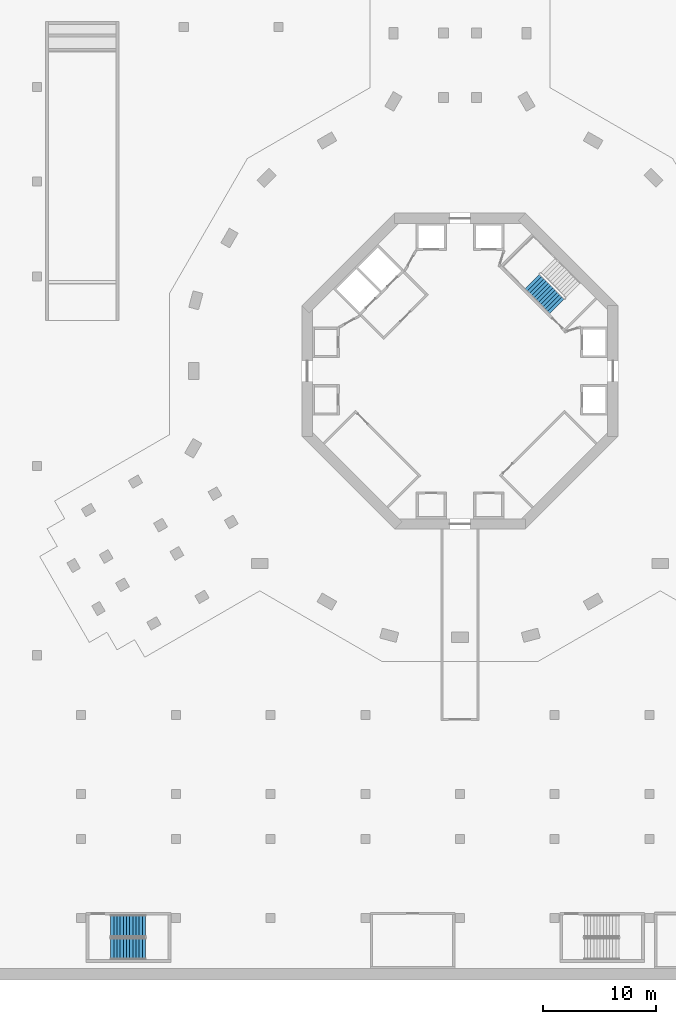
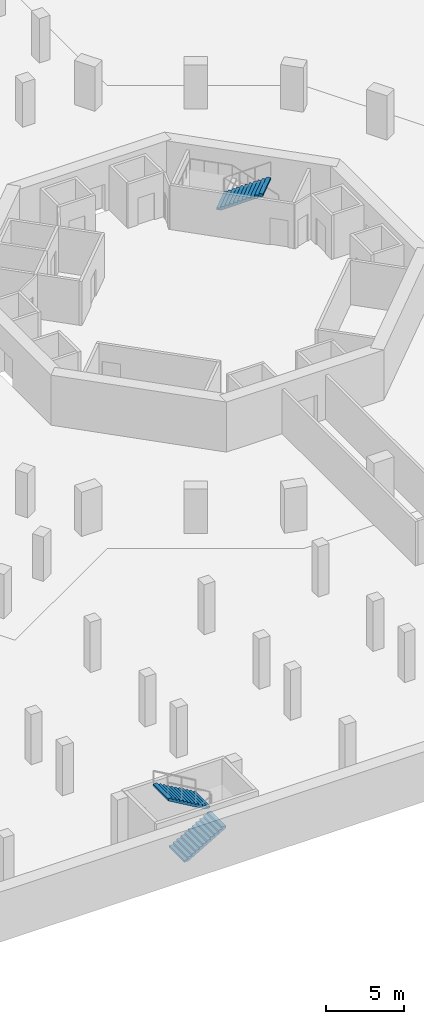
# One storey, part 13 of 25: 3 stair flights, 2 elements without a shape of their own.
"""IFC4 building model written with IfcOpenShell, lengths in metres."""

from ifc_helpers import new_model, si_unit, direction, frame, origin, place, context, subcontext, project, spatial, triangles, material, type_object, element, aggregate, save


model = new_model("IFC4")

# Units and contexts
model_context = context("Model", 3, precision=1e-05, world=origin(), true_north=direction((0.0, 1.0)))
body_context = subcontext(model_context, "Body", "Model", "MODEL_VIEW")
ifc_project = project(units=[si_unit("LENGTHUNIT", "METRE"), si_unit("AREAUNIT", "SQUARE_METRE"), si_unit("VOLUMEUNIT", "CUBIC_METRE"), si_unit("PLANEANGLEUNIT", "RADIAN"), si_unit("MASSUNIT", "GRAM", prefix="KILO")], contexts=[model_context])

# Site, building, storey
site_placement = place(None, origin())
site = spatial("IfcSite", under=ifc_project, at=site_placement, CompositionType="ELEMENT")
building_placement = place(site_placement, origin())
building = spatial("IfcBuilding", under=site, at=building_placement, Name="Verdalira Terraces Hotel", CompositionType="ELEMENT")
storey_placement = place(building_placement, frame((0.0, 0.0, -7.800049)))
storey = spatial("IfcBuildingStorey", under=building, at=storey_placement, Name="B2", CompositionType="ELEMENT", Elevation=-7.800048828125)

# Stair, stair flights
ifc_material_1 = material(Name="Concrete C40", Category="concrete")
stair_type_1 = type_object("IfcStairType", Name="Car park stair 24 risers", PredefinedType="HALF_TURN_STAIR", material=ifc_material_1)
stair_1_placement = place(storey_placement, origin())
stair_1 = element("IfcStair", 1, at=stair_1_placement, inside=storey, type_object=stair_type_1, Name="B2 Exit stair Basement stair 1", PredefinedType="HALF_TURN_STAIR")
ifc_material_2 = material(Name="Concrete C40", Category="concrete")
stair_flight_type_1 = type_object("IfcStairFlightType", Name="Car park stair flight 24 risers", PredefinedType="STRAIGHT", material=ifc_material_2)
stair_flight_1_placement = place(storey_placement, frame((-30.975098, -51.237549, 0.0), z_axis=(0.0, 0.0, 1.0), x_axis=(1.0, 0.0, 0.0)))
stair_flight_1 = element("IfcStairFlight", 2, at=stair_flight_1_placement, type_object=stair_flight_type_1, Name="Basement stair 1 flight 1", NumberOfRisers=12, NumberOfTreads=11, PredefinedType="STRAIGHT", RiserHeight=0.1625, TreadLength=0.28, context=body_context, shape_type="Tessellation", body=[
    triangles([(0.0, 0.962524, 0.0), (0.298584, 0.962524, 0.0), (3.080078, 0.962524, 1.614258), (0.0, -0.962524, 0.0), (0.298584, -0.962524, 0.0), (3.080078, -0.962524, 1.614258), (3.080078, 0.962524, 1.787598), (2.800049, 0.962524, 1.787598), (3.080078, -0.962524, 1.787598), (2.800049, -0.962524, 1.787598), (2.800049, 0.962524, 1.625), (2.800049, -0.962524, 1.625), (2.52002, 0.962524, 1.625), (2.52002, -0.962524, 1.625), (2.52002, 0.962524, 1.462402), (2.52002, -0.962524, 1.462402), (2.23999, 0.962524, 1.462402), (2.23999, 0.962524, 1.300049), (2.23999, -0.962524, 1.462402), (2.23999, -0.962524, 1.300049), (1.959961, 0.962524, 1.300049), (1.959961, 0.962524, 1.137451), (1.959961, -0.962524, 1.300049), (1.959961, -0.962524, 1.137451), (1.679932, 0.962524, 1.137451), (1.679932, 0.962524, 0.975098), (1.679932, -0.962524, 1.137451), (1.679932, -0.962524, 0.975098), (1.399902, 0.962524, 0.975098), (1.399902, 0.962524, 0.8125), (1.399902, -0.962524, 0.975098), (1.399902, -0.962524, 0.8125), (1.120117, 0.962524, 0.8125), (1.120117, 0.962524, 0.649902), (1.120117, -0.962524, 0.8125), (1.120117, -0.962524, 0.649902), (0.840088, 0.962524, 0.649902), (0.840088, 0.962524, 0.487549), (0.840088, -0.962524, 0.649902), (0.840088, -0.962524, 0.487549), (0.560059, 0.962524, 0.487549), (0.560059, 0.962524, 0.324951), (0.560059, -0.962524, 0.487549), (0.560059, -0.962524, 0.324951), (0.280029, 0.962524, 0.324951), (0.280029, 0.962524, 0.162598), (0.280029, -0.962524, 0.324951), (0.280029, -0.962524, 0.162598), (0.0, 0.962524, 0.162598), (0.0, -0.962524, 0.162598), (0.0, -0.902367, 0.0), (0.0, -0.902367, 0.162598), (0.0, -0.842209, 0.0), (0.0, -0.842209, 0.162598), (0.0, -0.782051, 0.0), (0.0, -0.782051, 0.162598), (0.0, -0.721893, 0.0), (0.0, -0.721893, 0.162598), (0.0, -0.661736, 0.0), (0.0, -0.661736, 0.162598), (0.0, -0.601578, 0.0), (0.0, -0.601578, 0.162598), (0.0, -0.54142, 0.0), (0.0, -0.54142, 0.162598), (0.0, -0.481262, 0.0), (0.0, -0.481262, 0.162598), (0.0, -0.421104, 0.0), (0.0, -0.421104, 0.162598), (0.0, -0.360947, 0.0), (0.0, -0.360947, 0.162598), (0.0, -0.300789, 0.0), (0.0, -0.300789, 0.162598), (0.0, -0.240631, 0.0), (0.0, -0.240631, 0.162598), (0.0, -0.180473, 0.0), (0.0, -0.180473, 0.162598), (0.0, -0.120316, 0.0), (0.0, -0.120316, 0.162598), (0.0, -0.060158, 0.0), (0.0, -0.060158, 0.162598), (0.0, 0.0, 0.0), (0.0, 0.0, 0.162598), (0.0, 0.060158, 0.0), (0.0, 0.060158, 0.162598), (0.0, 0.120316, 0.0), (0.0, 0.120316, 0.162598), (0.0, 0.180473, 0.0), (0.0, 0.180473, 0.162598), (0.0, 0.240631, 0.0), (0.0, 0.240631, 0.162598), (0.0, 0.300789, 0.0), (0.0, 0.300789, 0.162598), (0.0, 0.360947, 0.0), (0.0, 0.360947, 0.162598), (0.0, 0.421104, 0.0), (0.0, 0.421104, 0.162598), (0.0, 0.481262, 0.0), (0.0, 0.481262, 0.162598), (0.0, 0.54142, 0.0), (0.0, 0.54142, 0.162598), (0.0, 0.601578, 0.0), (0.0, 0.601578, 0.162598), (0.0, 0.661736, 0.0), (0.0, 0.661736, 0.162598), (0.0, 0.721893, 0.0), (0.0, 0.721893, 0.162598), (0.0, 0.782051, 0.0), (0.0, 0.782051, 0.162598), (0.0, 0.842209, 0.0), (0.0, 0.842209, 0.162598), (0.0, 0.902367, 0.0), (0.0, 0.902367, 0.162598), (3.080078, -0.902367, 1.787598), (3.080078, -0.842209, 1.787598), (3.080078, -0.782051, 1.787598), (3.080078, -0.721893, 1.787598), (3.080078, -0.661736, 1.787598), (3.080078, -0.601578, 1.787598), (3.080078, -0.54142, 1.787598), (3.080078, -0.481262, 1.787598), (3.080078, -0.421104, 1.787598), (3.080078, -0.360947, 1.787598), (3.080078, -0.300789, 1.787598), (3.080078, -0.240631, 1.787598), (3.080078, -0.180473, 1.787598), (3.080078, -0.120316, 1.787598), (3.080078, -0.060158, 1.787598), (3.080078, 0.0, 1.787598), (3.080078, 0.060158, 1.787598), (3.080078, 0.120316, 1.787598), (3.080078, 0.180473, 1.787598), (3.080078, 0.240631, 1.787598), (3.080078, 0.300789, 1.787598), (3.080078, 0.360947, 1.787598), (3.080078, 0.421104, 1.787598), (3.080078, 0.481262, 1.787598), (3.080078, 0.54142, 1.787598), (3.080078, 0.601578, 1.787598), (3.080078, 0.661736, 1.787598), (3.080078, 0.721893, 1.787598), (3.080078, 0.782051, 1.787598), (3.080078, 0.842209, 1.787598), (3.080078, 0.902367, 1.787598), (3.080078, -0.902367, 1.614258), (3.080078, -0.842209, 1.614258), (3.080078, -0.782051, 1.614258), (3.080078, -0.721893, 1.614258), (3.080078, -0.661736, 1.614258), (3.080078, -0.601578, 1.614258), (3.080078, -0.54142, 1.614258), (3.080078, -0.481262, 1.614258), (3.080078, -0.421104, 1.614258), (3.080078, -0.360947, 1.614258), (3.080078, -0.300789, 1.614258), (3.080078, -0.240631, 1.614258), (3.080078, -0.180473, 1.614258), (3.080078, -0.120316, 1.614258), (3.080078, -0.060158, 1.614258), (3.080078, 0.0, 1.614258), (3.080078, 0.060158, 1.614258), (3.080078, 0.120316, 1.614258), (3.080078, 0.180473, 1.614258), (3.080078, 0.240631, 1.614258), (3.080078, 0.300789, 1.614258), (3.080078, 0.360947, 1.614258), (3.080078, 0.421104, 1.614258), (3.080078, 0.481262, 1.614258), (3.080078, 0.54142, 1.614258), (3.080078, 0.601578, 1.614258), (3.080078, 0.661736, 1.614258), (3.080078, 0.721893, 1.614258), (3.080078, 0.782051, 1.614258), (3.080078, 0.842209, 1.614258), (3.080078, 0.902367, 1.614258)], [[1, 3, 2], [4, 5, 6], [3, 8, 7], [6, 9, 10], [3, 11, 8], [6, 10, 12], [3, 13, 11], [6, 12, 14], [3, 15, 13], [6, 14, 16], [15, 18, 17], [16, 19, 20], [3, 18, 15], [6, 16, 20], [18, 22, 21], [20, 23, 24], [3, 22, 18], [6, 20, 24], [22, 26, 25], [24, 27, 28], [3, 26, 22], [6, 24, 28], [26, 30, 29], [28, 31, 32], [3, 30, 26], [6, 28, 32], [30, 34, 33], [32, 35, 36], [3, 34, 30], [6, 32, 36], [34, 38, 37], [36, 39, 40], [3, 38, 34], [6, 36, 40], [38, 42, 41], [40, 43, 44], [3, 42, 38], [6, 40, 44], [1, 42, 3], [4, 6, 44], [42, 46, 45], [44, 47, 48], [1, 46, 42], [4, 44, 48], [46, 1, 49], [48, 50, 4], [4, 52, 51], [4, 50, 52], [51, 54, 53], [51, 52, 54], [53, 56, 55], [53, 54, 56], [55, 58, 57], [55, 56, 58], [57, 60, 59], [57, 58, 60], [59, 62, 61], [59, 60, 62], [61, 64, 63], [61, 62, 64], [63, 66, 65], [63, 64, 66], [65, 68, 67], [65, 66, 68], [67, 70, 69], [67, 68, 70], [69, 72, 71], [69, 70, 72], [71, 74, 73], [71, 72, 74], [73, 76, 75], [73, 74, 76], [75, 78, 77], [75, 76, 78], [77, 80, 79], [77, 78, 80], [79, 82, 81], [79, 80, 82], [81, 84, 83], [81, 82, 84], [83, 86, 85], [83, 84, 86], [85, 88, 87], [85, 86, 88], [87, 90, 89], [87, 88, 90], [89, 92, 91], [89, 90, 92], [91, 94, 93], [91, 92, 94], [93, 96, 95], [93, 94, 96], [95, 98, 97], [95, 96, 98], [97, 100, 99], [97, 98, 100], [99, 102, 101], [99, 100, 102], [101, 104, 103], [101, 102, 104], [103, 106, 105], [103, 104, 106], [105, 108, 107], [105, 106, 108], [107, 110, 109], [107, 108, 110], [109, 112, 111], [109, 110, 112], [111, 49, 1], [111, 112, 49], [50, 48, 52], [52, 48, 54], [54, 48, 56], [56, 48, 58], [58, 48, 60], [60, 48, 62], [62, 48, 64], [64, 48, 66], [66, 48, 68], [68, 48, 70], [70, 48, 72], [72, 48, 74], [74, 48, 76], [76, 48, 78], [78, 48, 80], [80, 48, 82], [82, 48, 84], [84, 48, 86], [86, 48, 88], [88, 48, 90], [90, 48, 92], [92, 48, 94], [94, 48, 96], [96, 48, 98], [98, 48, 100], [100, 48, 102], [102, 48, 104], [104, 48, 106], [106, 48, 108], [108, 48, 110], [110, 48, 112], [112, 48, 49], [49, 48, 46], [48, 45, 46], [48, 47, 45], [47, 42, 45], [47, 44, 42], [44, 41, 42], [44, 43, 41], [43, 38, 41], [43, 40, 38], [40, 37, 38], [40, 39, 37], [39, 34, 37], [39, 36, 34], [36, 33, 34], [36, 35, 33], [35, 30, 33], [35, 32, 30], [32, 29, 30], [32, 31, 29], [31, 26, 29], [31, 28, 26], [28, 25, 26], [28, 27, 25], [27, 22, 25], [27, 24, 22], [24, 21, 22], [24, 23, 21], [23, 18, 21], [23, 20, 18], [20, 17, 18], [20, 19, 17], [19, 15, 17], [19, 16, 15], [16, 13, 15], [16, 14, 13], [14, 11, 13], [14, 12, 11], [12, 8, 11], [12, 10, 8], [9, 113, 10], [113, 114, 10], [114, 115, 10], [115, 116, 10], [116, 117, 10], [117, 118, 10], [118, 119, 10], [119, 120, 10], [120, 121, 10], [121, 122, 10], [122, 123, 10], [123, 124, 10], [124, 125, 10], [125, 126, 10], [126, 127, 10], [127, 128, 10], [128, 129, 10], [129, 130, 10], [130, 131, 10], [131, 132, 10], [132, 133, 10], [133, 134, 10], [134, 135, 10], [135, 136, 10], [136, 137, 10], [137, 138, 10], [138, 139, 10], [139, 140, 10], [140, 141, 10], [141, 142, 10], [142, 143, 10], [143, 7, 10], [7, 8, 10], [9, 144, 113], [9, 6, 144], [113, 145, 114], [113, 144, 145], [114, 146, 115], [114, 145, 146], [115, 147, 116], [115, 146, 147], [116, 148, 117], [116, 147, 148], [117, 149, 118], [117, 148, 149], [118, 150, 119], [118, 149, 150], [119, 151, 120], [119, 150, 151], [120, 152, 121], [120, 151, 152], [121, 153, 122], [121, 152, 153], [122, 154, 123], [122, 153, 154], [123, 155, 124], [123, 154, 155], [124, 156, 125], [124, 155, 156], [125, 157, 126], [125, 156, 157], [126, 158, 127], [126, 157, 158], [127, 159, 128], [127, 158, 159], [128, 160, 129], [128, 159, 160], [129, 161, 130], [129, 160, 161], [130, 162, 131], [130, 161, 162], [131, 163, 132], [131, 162, 163], [132, 164, 133], [132, 163, 164], [133, 165, 134], [133, 164, 165], [134, 166, 135], [134, 165, 166], [135, 167, 136], [135, 166, 167], [136, 168, 137], [136, 167, 168], [137, 169, 138], [137, 168, 169], [138, 170, 139], [138, 169, 170], [139, 171, 140], [139, 170, 171], [140, 172, 141], [140, 171, 172], [141, 173, 142], [141, 172, 173], [142, 174, 143], [142, 173, 174], [143, 3, 7], [143, 174, 3], [6, 5, 144], [144, 5, 145], [145, 5, 146], [146, 5, 147], [147, 5, 148], [148, 5, 149], [149, 5, 150], [150, 5, 151], [151, 5, 152], [152, 5, 153], [153, 5, 154], [154, 5, 155], [155, 5, 156], [156, 5, 157], [157, 5, 158], [158, 5, 159], [159, 5, 160], [160, 5, 161], [161, 5, 162], [162, 5, 163], [163, 5, 164], [164, 5, 165], [165, 5, 166], [166, 5, 167], [167, 5, 168], [168, 5, 169], [169, 5, 170], [170, 5, 171], [171, 5, 172], [172, 5, 173], [173, 5, 174], [174, 5, 3], [3, 5, 2], [4, 51, 5], [51, 53, 5], [53, 55, 5], [55, 57, 5], [57, 59, 5], [59, 61, 5], [61, 63, 5], [63, 65, 5], [65, 67, 5], [67, 69, 5], [69, 71, 5], [71, 73, 5], [73, 75, 5], [75, 77, 5], [77, 79, 5], [79, 81, 5], [81, 83, 5], [83, 85, 5], [85, 87, 5], [87, 89, 5], [89, 91, 5], [91, 93, 5], [93, 95, 5], [95, 97, 5], [97, 99, 5], [99, 101, 5], [101, 103, 5], [103, 105, 5], [105, 107, 5], [107, 109, 5], [109, 111, 5], [111, 1, 5], [1, 2, 5]], closed=True),
])
stair_flight_2_placement = place(storey_placement, frame((-27.89502, -49.212402, 1.949951), z_axis=(0.0, 0.0, 1.0), x_axis=(-1.0, 0.0, 0.0)))
stair_flight_2 = element("IfcStairFlight", 3, at=stair_flight_2_placement, type_object=stair_flight_type_1, Name="Basement stair 1 flight 2", NumberOfRisers=12, NumberOfTreads=11, PredefinedType="STRAIGHT", RiserHeight=0.1625, TreadLength=0.28, context=body_context, shape_type="Tessellation", body=[
    triangles([(0.0, 0.962524, 0.0), (0.298584, 0.962524, 0.0), (3.080078, 0.962524, 1.614258), (0.0, -0.962524, 0.0), (0.298584, -0.962524, 0.0), (3.080078, -0.962524, 1.614258), (3.080078, 0.962524, 1.787598), (2.800049, 0.962524, 1.787598), (3.080078, -0.962524, 1.787598), (2.800049, -0.962524, 1.787598), (2.800049, 0.962524, 1.625), (2.800049, -0.962524, 1.625), (2.52002, 0.962524, 1.625), (2.52002, -0.962524, 1.625), (2.52002, 0.962524, 1.462402), (2.52002, -0.962524, 1.462402), (2.23999, 0.962524, 1.462402), (2.23999, 0.962524, 1.300049), (2.23999, -0.962524, 1.462402), (2.23999, -0.962524, 1.300049), (1.959961, 0.962524, 1.300049), (1.959961, 0.962524, 1.137451), (1.959961, -0.962524, 1.300049), (1.959961, -0.962524, 1.137451), (1.679932, 0.962524, 1.137451), (1.679932, 0.962524, 0.975098), (1.679932, -0.962524, 1.137451), (1.679932, -0.962524, 0.975098), (1.399902, 0.962524, 0.975098), (1.399902, 0.962524, 0.8125), (1.399902, -0.962524, 0.975098), (1.399902, -0.962524, 0.8125), (1.120117, 0.962524, 0.8125), (1.120117, 0.962524, 0.649902), (1.120117, -0.962524, 0.8125), (1.120117, -0.962524, 0.649902), (0.840088, 0.962524, 0.649902), (0.840088, 0.962524, 0.487549), (0.840088, -0.962524, 0.649902), (0.840088, -0.962524, 0.487549), (0.560059, 0.962524, 0.487549), (0.560059, 0.962524, 0.324951), (0.560059, -0.962524, 0.487549), (0.560059, -0.962524, 0.324951), (0.280029, 0.962524, 0.324951), (0.280029, 0.962524, 0.162598), (0.280029, -0.962524, 0.324951), (0.280029, -0.962524, 0.162598), (0.0, 0.962524, 0.162598), (0.0, -0.962524, 0.162598), (0.0, -0.902367, 0.0), (0.0, -0.902367, 0.162598), (0.0, -0.842209, 0.0), (0.0, -0.842209, 0.162598), (0.0, -0.782051, 0.0), (0.0, -0.782051, 0.162598), (0.0, -0.721893, 0.0), (0.0, -0.721893, 0.162598), (0.0, -0.661736, 0.0), (0.0, -0.661736, 0.162598), (0.0, -0.601578, 0.0), (0.0, -0.601578, 0.162598), (0.0, -0.54142, 0.0), (0.0, -0.54142, 0.162598), (0.0, -0.481262, 0.0), (0.0, -0.481262, 0.162598), (0.0, -0.421104, 0.0), (0.0, -0.421104, 0.162598), (0.0, -0.360947, 0.0), (0.0, -0.360947, 0.162598), (0.0, -0.300789, 0.0), (0.0, -0.300789, 0.162598), (0.0, -0.240631, 0.0), (0.0, -0.240631, 0.162598), (0.0, -0.180473, 0.0), (0.0, -0.180473, 0.162598), (0.0, -0.120316, 0.0), (0.0, -0.120316, 0.162598), (0.0, -0.060158, 0.0), (0.0, -0.060158, 0.162598), (0.0, 0.0, 0.0), (0.0, 0.0, 0.162598), (0.0, 0.060158, 0.0), (0.0, 0.060158, 0.162598), (0.0, 0.120316, 0.0), (0.0, 0.120316, 0.162598), (0.0, 0.180473, 0.0), (0.0, 0.180473, 0.162598), (0.0, 0.240631, 0.0), (0.0, 0.240631, 0.162598), (0.0, 0.300789, 0.0), (0.0, 0.300789, 0.162598), (0.0, 0.360947, 0.0), (0.0, 0.360947, 0.162598), (0.0, 0.421104, 0.0), (0.0, 0.421104, 0.162598), (0.0, 0.481262, 0.0), (0.0, 0.481262, 0.162598), (0.0, 0.54142, 0.0), (0.0, 0.54142, 0.162598), (0.0, 0.601578, 0.0), (0.0, 0.601578, 0.162598), (0.0, 0.661736, 0.0), (0.0, 0.661736, 0.162598), (0.0, 0.721893, 0.0), (0.0, 0.721893, 0.162598), (0.0, 0.782051, 0.0), (0.0, 0.782051, 0.162598), (0.0, 0.842209, 0.0), (0.0, 0.842209, 0.162598), (0.0, 0.902367, 0.0), (0.0, 0.902367, 0.162598), (3.080078, -0.902367, 1.787598), (3.080078, -0.842209, 1.787598), (3.080078, -0.782051, 1.787598), (3.080078, -0.721893, 1.787598), (3.080078, -0.661736, 1.787598), (3.080078, -0.601578, 1.787598), (3.080078, -0.54142, 1.787598), (3.080078, -0.481262, 1.787598), (3.080078, -0.421104, 1.787598), (3.080078, -0.360947, 1.787598), (3.080078, -0.300789, 1.787598), (3.080078, -0.240631, 1.787598), (3.080078, -0.180473, 1.787598), (3.080078, -0.120316, 1.787598), (3.080078, -0.060158, 1.787598), (3.080078, 0.0, 1.787598), (3.080078, 0.060158, 1.787598), (3.080078, 0.120316, 1.787598), (3.080078, 0.180473, 1.787598), (3.080078, 0.240631, 1.787598), (3.080078, 0.300789, 1.787598), (3.080078, 0.360947, 1.787598), (3.080078, 0.421104, 1.787598), (3.080078, 0.481262, 1.787598), (3.080078, 0.54142, 1.787598), (3.080078, 0.601578, 1.787598), (3.080078, 0.661736, 1.787598), (3.080078, 0.721893, 1.787598), (3.080078, 0.782051, 1.787598), (3.080078, 0.842209, 1.787598), (3.080078, 0.902367, 1.787598), (3.080078, -0.902367, 1.614258), (3.080078, -0.842209, 1.614258), (3.080078, -0.782051, 1.614258), (3.080078, -0.721893, 1.614258), (3.080078, -0.661736, 1.614258), (3.080078, -0.601578, 1.614258), (3.080078, -0.54142, 1.614258), (3.080078, -0.481262, 1.614258), (3.080078, -0.421104, 1.614258), (3.080078, -0.360947, 1.614258), (3.080078, -0.300789, 1.614258), (3.080078, -0.240631, 1.614258), (3.080078, -0.180473, 1.614258), (3.080078, -0.120316, 1.614258), (3.080078, -0.060158, 1.614258), (3.080078, 0.0, 1.614258), (3.080078, 0.060158, 1.614258), (3.080078, 0.120316, 1.614258), (3.080078, 0.180473, 1.614258), (3.080078, 0.240631, 1.614258), (3.080078, 0.300789, 1.614258), (3.080078, 0.360947, 1.614258), (3.080078, 0.421104, 1.614258), (3.080078, 0.481262, 1.614258), (3.080078, 0.54142, 1.614258), (3.080078, 0.601578, 1.614258), (3.080078, 0.661736, 1.614258), (3.080078, 0.721893, 1.614258), (3.080078, 0.782051, 1.614258), (3.080078, 0.842209, 1.614258), (3.080078, 0.902367, 1.614258)], [[1, 3, 2], [4, 5, 6], [3, 8, 7], [6, 9, 10], [3, 11, 8], [6, 10, 12], [3, 13, 11], [6, 12, 14], [3, 15, 13], [6, 14, 16], [15, 18, 17], [16, 19, 20], [3, 18, 15], [6, 16, 20], [18, 22, 21], [20, 23, 24], [3, 22, 18], [6, 20, 24], [22, 26, 25], [24, 27, 28], [3, 26, 22], [6, 24, 28], [26, 30, 29], [28, 31, 32], [3, 30, 26], [6, 28, 32], [30, 34, 33], [32, 35, 36], [3, 34, 30], [6, 32, 36], [34, 38, 37], [36, 39, 40], [3, 38, 34], [6, 36, 40], [38, 42, 41], [40, 43, 44], [3, 42, 38], [6, 40, 44], [1, 42, 3], [4, 6, 44], [42, 46, 45], [44, 47, 48], [1, 46, 42], [4, 44, 48], [46, 1, 49], [48, 50, 4], [4, 52, 51], [4, 50, 52], [51, 54, 53], [51, 52, 54], [53, 56, 55], [53, 54, 56], [55, 58, 57], [55, 56, 58], [57, 60, 59], [57, 58, 60], [59, 62, 61], [59, 60, 62], [61, 64, 63], [61, 62, 64], [63, 66, 65], [63, 64, 66], [65, 68, 67], [65, 66, 68], [67, 70, 69], [67, 68, 70], [69, 72, 71], [69, 70, 72], [71, 74, 73], [71, 72, 74], [73, 76, 75], [73, 74, 76], [75, 78, 77], [75, 76, 78], [77, 80, 79], [77, 78, 80], [79, 82, 81], [79, 80, 82], [81, 84, 83], [81, 82, 84], [83, 86, 85], [83, 84, 86], [85, 88, 87], [85, 86, 88], [87, 90, 89], [87, 88, 90], [89, 92, 91], [89, 90, 92], [91, 94, 93], [91, 92, 94], [93, 96, 95], [93, 94, 96], [95, 98, 97], [95, 96, 98], [97, 100, 99], [97, 98, 100], [99, 102, 101], [99, 100, 102], [101, 104, 103], [101, 102, 104], [103, 106, 105], [103, 104, 106], [105, 108, 107], [105, 106, 108], [107, 110, 109], [107, 108, 110], [109, 112, 111], [109, 110, 112], [111, 49, 1], [111, 112, 49], [50, 48, 52], [52, 48, 54], [54, 48, 56], [56, 48, 58], [58, 48, 60], [60, 48, 62], [62, 48, 64], [64, 48, 66], [66, 48, 68], [68, 48, 70], [70, 48, 72], [72, 48, 74], [74, 48, 76], [76, 48, 78], [78, 48, 80], [80, 48, 82], [82, 48, 84], [84, 48, 86], [86, 48, 88], [88, 48, 90], [90, 48, 92], [92, 48, 94], [94, 48, 96], [96, 48, 98], [98, 48, 100], [100, 48, 102], [102, 48, 104], [104, 48, 106], [106, 48, 108], [108, 48, 110], [110, 48, 112], [112, 48, 49], [49, 48, 46], [48, 45, 46], [48, 47, 45], [47, 42, 45], [47, 44, 42], [44, 41, 42], [44, 43, 41], [43, 38, 41], [43, 40, 38], [40, 37, 38], [40, 39, 37], [39, 34, 37], [39, 36, 34], [36, 33, 34], [36, 35, 33], [35, 30, 33], [35, 32, 30], [32, 29, 30], [32, 31, 29], [31, 26, 29], [31, 28, 26], [28, 25, 26], [28, 27, 25], [27, 22, 25], [27, 24, 22], [24, 21, 22], [24, 23, 21], [23, 18, 21], [23, 20, 18], [20, 17, 18], [20, 19, 17], [19, 15, 17], [19, 16, 15], [16, 13, 15], [16, 14, 13], [14, 11, 13], [14, 12, 11], [12, 8, 11], [12, 10, 8], [9, 113, 10], [113, 114, 10], [114, 115, 10], [115, 116, 10], [116, 117, 10], [117, 118, 10], [118, 119, 10], [119, 120, 10], [120, 121, 10], [121, 122, 10], [122, 123, 10], [123, 124, 10], [124, 125, 10], [125, 126, 10], [126, 127, 10], [127, 128, 10], [128, 129, 10], [129, 130, 10], [130, 131, 10], [131, 132, 10], [132, 133, 10], [133, 134, 10], [134, 135, 10], [135, 136, 10], [136, 137, 10], [137, 138, 10], [138, 139, 10], [139, 140, 10], [140, 141, 10], [141, 142, 10], [142, 143, 10], [143, 7, 10], [7, 8, 10], [9, 144, 113], [9, 6, 144], [113, 145, 114], [113, 144, 145], [114, 146, 115], [114, 145, 146], [115, 147, 116], [115, 146, 147], [116, 148, 117], [116, 147, 148], [117, 149, 118], [117, 148, 149], [118, 150, 119], [118, 149, 150], [119, 151, 120], [119, 150, 151], [120, 152, 121], [120, 151, 152], [121, 153, 122], [121, 152, 153], [122, 154, 123], [122, 153, 154], [123, 155, 124], [123, 154, 155], [124, 156, 125], [124, 155, 156], [125, 157, 126], [125, 156, 157], [126, 158, 127], [126, 157, 158], [127, 159, 128], [127, 158, 159], [128, 160, 129], [128, 159, 160], [129, 161, 130], [129, 160, 161], [130, 162, 131], [130, 161, 162], [131, 163, 132], [131, 162, 163], [132, 164, 133], [132, 163, 164], [133, 165, 134], [133, 164, 165], [134, 166, 135], [134, 165, 166], [135, 167, 136], [135, 166, 167], [136, 168, 137], [136, 167, 168], [137, 169, 138], [137, 168, 169], [138, 170, 139], [138, 169, 170], [139, 171, 140], [139, 170, 171], [140, 172, 141], [140, 171, 172], [141, 173, 142], [141, 172, 173], [142, 174, 143], [142, 173, 174], [143, 3, 7], [143, 174, 3], [6, 5, 144], [144, 5, 145], [145, 5, 146], [146, 5, 147], [147, 5, 148], [148, 5, 149], [149, 5, 150], [150, 5, 151], [151, 5, 152], [152, 5, 153], [153, 5, 154], [154, 5, 155], [155, 5, 156], [156, 5, 157], [157, 5, 158], [158, 5, 159], [159, 5, 160], [160, 5, 161], [161, 5, 162], [162, 5, 163], [163, 5, 164], [164, 5, 165], [165, 5, 166], [166, 5, 167], [167, 5, 168], [168, 5, 169], [169, 5, 170], [170, 5, 171], [171, 5, 172], [172, 5, 173], [173, 5, 174], [174, 5, 3], [3, 5, 2], [4, 51, 5], [51, 53, 5], [53, 55, 5], [55, 57, 5], [57, 59, 5], [59, 61, 5], [61, 63, 5], [63, 65, 5], [65, 67, 5], [67, 69, 5], [69, 71, 5], [71, 73, 5], [73, 75, 5], [75, 77, 5], [77, 79, 5], [79, 81, 5], [81, 83, 5], [83, 85, 5], [85, 87, 5], [87, 89, 5], [89, 91, 5], [91, 93, 5], [93, 95, 5], [95, 97, 5], [97, 99, 5], [99, 101, 5], [101, 103, 5], [103, 105, 5], [105, 107, 5], [107, 109, 5], [109, 111, 5], [111, 1, 5], [1, 2, 5]], closed=True),
])
aggregate(stair_1, [stair_flight_1, stair_flight_2])

# Stair, stair flight
ifc_material_3 = material(Name="Concrete C40", Category="concrete")
stair_type_2 = type_object("IfcStairType", Name="Core stair 24 risers 1900 mm wide", PredefinedType="HALF_TURN_STAIR", material=ifc_material_3)
stair_2_placement = place(storey_placement, origin())
stair_2 = element("IfcStair", 4, at=stair_2_placement, inside=storey, type_object=stair_type_2, Name="B2 Exit stair ST1", PredefinedType="HALF_TURN_STAIR")
ifc_material_4 = material(Name="Concrete C40", Category="concrete")
stair_flight_type_2 = type_object("IfcStairFlightType", Name="Core stair flight 24 risers 1900 mm wide", PredefinedType="STRAIGHT", material=ifc_material_4)
stair_flight_3_placement = place(storey_placement, frame((6.413574, 7.940918, 1.949951), z_axis=(0.0, 0.0, 1.0), x_axis=(0.707106781, -0.707106781, 0.0)))
stair_flight_3 = element("IfcStairFlight", 5, at=stair_flight_3_placement, type_object=stair_flight_type_2, Name="ST1 flight 2", NumberOfRisers=12, NumberOfTreads=11, PredefinedType="STRAIGHT", RiserHeight=0.1625, TreadLength=0.28, context=body_context, shape_type="Tessellation", body=[
    triangles([(0.0, 0.949951, 0.0), (0.298584, 0.949951, 0.0), (3.080078, 0.949951, 1.614258), (0.0, -0.949951, 0.0), (0.298584, -0.949951, 0.0), (3.080078, -0.949951, 1.614258), (3.080078, 0.949951, 1.787598), (2.800049, 0.949951, 1.787598), (3.080078, -0.949951, 1.787598), (2.800049, -0.949951, 1.787598), (2.800049, 0.949951, 1.625), (2.800049, -0.949951, 1.625), (2.52002, 0.949951, 1.625), (2.52002, -0.949951, 1.625), (2.52002, 0.949951, 1.462402), (2.52002, -0.949951, 1.462402), (2.23999, 0.949951, 1.462402), (2.23999, 0.949951, 1.300049), (2.23999, -0.949951, 1.462402), (2.23999, -0.949951, 1.300049), (1.959961, 0.949951, 1.300049), (1.959961, 0.949951, 1.137451), (1.959961, -0.949951, 1.300049), (1.959961, -0.949951, 1.137451), (1.679932, 0.949951, 1.137451), (1.679932, 0.949951, 0.975098), (1.679932, -0.949951, 1.137451), (1.679932, -0.949951, 0.975098), (1.399902, 0.949951, 0.975098), (1.399902, 0.949951, 0.8125), (1.399902, -0.949951, 0.975098), (1.399902, -0.949951, 0.8125), (1.120117, 0.949951, 0.8125), (1.120117, 0.949951, 0.649902), (1.120117, -0.949951, 0.8125), (1.120117, -0.949951, 0.649902), (0.840088, 0.949951, 0.649902), (0.840088, 0.949951, 0.487549), (0.840088, -0.949951, 0.649902), (0.840088, -0.949951, 0.487549), (0.560059, 0.949951, 0.487549), (0.560059, 0.949951, 0.324951), (0.560059, -0.949951, 0.487549), (0.560059, -0.949951, 0.324951), (0.280029, 0.949951, 0.324951), (0.280029, 0.949951, 0.162598), (0.280029, -0.949951, 0.324951), (0.280029, -0.949951, 0.162598), (0.0, 0.949951, 0.162598), (0.0, -0.949951, 0.162598), (0.0, -0.890579, 0.0), (0.0, -0.890579, 0.162598), (0.0, -0.831207, 0.0), (0.0, -0.831207, 0.162598), (0.0, -0.771835, 0.0), (0.0, -0.771835, 0.162598), (0.0, -0.712463, 0.0), (0.0, -0.712463, 0.162598), (0.0, -0.653091, 0.0), (0.0, -0.653091, 0.162598), (0.0, -0.593719, 0.0), (0.0, -0.593719, 0.162598), (0.0, -0.534348, 0.0), (0.0, -0.534348, 0.162598), (0.0, -0.474976, 0.0), (0.0, -0.474976, 0.162598), (0.0, -0.415604, 0.0), (0.0, -0.415604, 0.162598), (0.0, -0.356232, 0.0), (0.0, -0.356232, 0.162598), (0.0, -0.29686, 0.0), (0.0, -0.29686, 0.162598), (0.0, -0.237488, 0.0), (0.0, -0.237488, 0.162598), (0.0, -0.178116, 0.0), (0.0, -0.178116, 0.162598), (0.0, -0.118744, 0.0), (0.0, -0.118744, 0.162598), (0.0, -0.059372, 0.0), (0.0, -0.059372, 0.162598), (0.0, 0.0, 0.0), (0.0, 0.0, 0.162598), (0.0, 0.059372, 0.0), (0.0, 0.059372, 0.162598), (0.0, 0.118744, 0.0), (0.0, 0.118744, 0.162598), (0.0, 0.178116, 0.0), (0.0, 0.178116, 0.162598), (0.0, 0.237488, 0.0), (0.0, 0.237488, 0.162598), (0.0, 0.29686, 0.0), (0.0, 0.29686, 0.162598), (0.0, 0.356232, 0.0), (0.0, 0.356232, 0.162598), (0.0, 0.415604, 0.0), (0.0, 0.415604, 0.162598), (0.0, 0.474976, 0.0), (0.0, 0.474976, 0.162598), (0.0, 0.534348, 0.0), (0.0, 0.534348, 0.162598), (0.0, 0.593719, 0.0), (0.0, 0.593719, 0.162598), (0.0, 0.653091, 0.0), (0.0, 0.653091, 0.162598), (0.0, 0.712463, 0.0), (0.0, 0.712463, 0.162598), (0.0, 0.771835, 0.0), (0.0, 0.771835, 0.162598), (0.0, 0.831207, 0.0), (0.0, 0.831207, 0.162598), (0.0, 0.890579, 0.0), (0.0, 0.890579, 0.162598), (3.080078, -0.890579, 1.787598), (3.080078, -0.831207, 1.787598), (3.080078, -0.771835, 1.787598), (3.080078, -0.712463, 1.787598), (3.080078, -0.653091, 1.787598), (3.080078, -0.593719, 1.787598), (3.080078, -0.534348, 1.787598), (3.080078, -0.474976, 1.787598), (3.080078, -0.415604, 1.787598), (3.080078, -0.356232, 1.787598), (3.080078, -0.29686, 1.787598), (3.080078, -0.237488, 1.787598), (3.080078, -0.178116, 1.787598), (3.080078, -0.118744, 1.787598), (3.080078, -0.059372, 1.787598), (3.080078, 0.0, 1.787598), (3.080078, 0.059372, 1.787598), (3.080078, 0.118744, 1.787598), (3.080078, 0.178116, 1.787598), (3.080078, 0.237488, 1.787598), (3.080078, 0.29686, 1.787598), (3.080078, 0.356232, 1.787598), (3.080078, 0.415604, 1.787598), (3.080078, 0.474976, 1.787598), (3.080078, 0.534348, 1.787598), (3.080078, 0.593719, 1.787598), (3.080078, 0.653091, 1.787598), (3.080078, 0.712463, 1.787598), (3.080078, 0.771835, 1.787598), (3.080078, 0.831207, 1.787598), (3.080078, 0.890579, 1.787598), (3.080078, -0.890579, 1.614258), (3.080078, -0.831207, 1.614258), (3.080078, -0.771835, 1.614258), (3.080078, -0.712463, 1.614258), (3.080078, -0.653091, 1.614258), (3.080078, -0.593719, 1.614258), (3.080078, -0.534348, 1.614258), (3.080078, -0.474976, 1.614258), (3.080078, -0.415604, 1.614258), (3.080078, -0.356232, 1.614258), (3.080078, -0.29686, 1.614258), (3.080078, -0.237488, 1.614258), (3.080078, -0.178116, 1.614258), (3.080078, -0.118744, 1.614258), (3.080078, -0.059372, 1.614258), (3.080078, 0.0, 1.614258), (3.080078, 0.059372, 1.614258), (3.080078, 0.118744, 1.614258), (3.080078, 0.178116, 1.614258), (3.080078, 0.237488, 1.614258), (3.080078, 0.29686, 1.614258), (3.080078, 0.356232, 1.614258), (3.080078, 0.415604, 1.614258), (3.080078, 0.474976, 1.614258), (3.080078, 0.534348, 1.614258), (3.080078, 0.593719, 1.614258), (3.080078, 0.653091, 1.614258), (3.080078, 0.712463, 1.614258), (3.080078, 0.771835, 1.614258), (3.080078, 0.831207, 1.614258), (3.080078, 0.890579, 1.614258)], [[1, 3, 2], [4, 5, 6], [3, 8, 7], [6, 9, 10], [3, 11, 8], [6, 10, 12], [3, 13, 11], [6, 12, 14], [3, 15, 13], [6, 14, 16], [15, 18, 17], [16, 19, 20], [3, 18, 15], [6, 16, 20], [18, 22, 21], [20, 23, 24], [3, 22, 18], [6, 20, 24], [22, 26, 25], [24, 27, 28], [3, 26, 22], [6, 24, 28], [26, 30, 29], [28, 31, 32], [3, 30, 26], [6, 28, 32], [30, 34, 33], [32, 35, 36], [3, 34, 30], [6, 32, 36], [34, 38, 37], [36, 39, 40], [3, 38, 34], [6, 36, 40], [38, 42, 41], [40, 43, 44], [3, 42, 38], [6, 40, 44], [1, 42, 3], [4, 6, 44], [42, 46, 45], [44, 47, 48], [1, 46, 42], [4, 44, 48], [46, 1, 49], [48, 50, 4], [4, 52, 51], [4, 50, 52], [51, 54, 53], [51, 52, 54], [53, 56, 55], [53, 54, 56], [55, 58, 57], [55, 56, 58], [57, 60, 59], [57, 58, 60], [59, 62, 61], [59, 60, 62], [61, 64, 63], [61, 62, 64], [63, 66, 65], [63, 64, 66], [65, 68, 67], [65, 66, 68], [67, 70, 69], [67, 68, 70], [69, 72, 71], [69, 70, 72], [71, 74, 73], [71, 72, 74], [73, 76, 75], [73, 74, 76], [75, 78, 77], [75, 76, 78], [77, 80, 79], [77, 78, 80], [79, 82, 81], [79, 80, 82], [81, 84, 83], [81, 82, 84], [83, 86, 85], [83, 84, 86], [85, 88, 87], [85, 86, 88], [87, 90, 89], [87, 88, 90], [89, 92, 91], [89, 90, 92], [91, 94, 93], [91, 92, 94], [93, 96, 95], [93, 94, 96], [95, 98, 97], [95, 96, 98], [97, 100, 99], [97, 98, 100], [99, 102, 101], [99, 100, 102], [101, 104, 103], [101, 102, 104], [103, 106, 105], [103, 104, 106], [105, 108, 107], [105, 106, 108], [107, 110, 109], [107, 108, 110], [109, 112, 111], [109, 110, 112], [111, 49, 1], [111, 112, 49], [50, 48, 52], [52, 48, 54], [54, 48, 56], [56, 48, 58], [58, 48, 60], [60, 48, 62], [62, 48, 64], [64, 48, 66], [66, 48, 68], [68, 48, 70], [70, 48, 72], [72, 48, 74], [74, 48, 76], [76, 48, 78], [78, 48, 80], [80, 48, 82], [82, 48, 84], [84, 48, 86], [86, 48, 88], [88, 48, 90], [90, 48, 92], [92, 48, 94], [94, 48, 96], [96, 48, 98], [98, 48, 100], [100, 48, 102], [102, 48, 104], [104, 48, 106], [106, 48, 108], [108, 48, 110], [110, 48, 112], [112, 48, 49], [49, 48, 46], [48, 45, 46], [48, 47, 45], [47, 42, 45], [47, 44, 42], [44, 41, 42], [44, 43, 41], [43, 38, 41], [43, 40, 38], [40, 37, 38], [40, 39, 37], [39, 34, 37], [39, 36, 34], [36, 33, 34], [36, 35, 33], [35, 30, 33], [35, 32, 30], [32, 29, 30], [32, 31, 29], [31, 26, 29], [31, 28, 26], [28, 25, 26], [28, 27, 25], [27, 22, 25], [27, 24, 22], [24, 21, 22], [24, 23, 21], [23, 18, 21], [23, 20, 18], [20, 17, 18], [20, 19, 17], [19, 15, 17], [19, 16, 15], [16, 13, 15], [16, 14, 13], [14, 11, 13], [14, 12, 11], [12, 8, 11], [12, 10, 8], [9, 113, 10], [113, 114, 10], [114, 115, 10], [115, 116, 10], [116, 117, 10], [117, 118, 10], [118, 119, 10], [119, 120, 10], [120, 121, 10], [121, 122, 10], [122, 123, 10], [123, 124, 10], [124, 125, 10], [125, 126, 10], [126, 127, 10], [127, 128, 10], [128, 129, 10], [129, 130, 10], [130, 131, 10], [131, 132, 10], [132, 133, 10], [133, 134, 10], [134, 135, 10], [135, 136, 10], [136, 137, 10], [137, 138, 10], [138, 139, 10], [139, 140, 10], [140, 141, 10], [141, 142, 10], [142, 143, 10], [143, 7, 10], [7, 8, 10], [9, 144, 113], [9, 6, 144], [113, 145, 114], [113, 144, 145], [114, 146, 115], [114, 145, 146], [115, 147, 116], [115, 146, 147], [116, 148, 117], [116, 147, 148], [117, 149, 118], [117, 148, 149], [118, 150, 119], [118, 149, 150], [119, 151, 120], [119, 150, 151], [120, 152, 121], [120, 151, 152], [121, 153, 122], [121, 152, 153], [122, 154, 123], [122, 153, 154], [123, 155, 124], [123, 154, 155], [124, 156, 125], [124, 155, 156], [125, 157, 126], [125, 156, 157], [126, 158, 127], [126, 157, 158], [127, 159, 128], [127, 158, 159], [128, 160, 129], [128, 159, 160], [129, 161, 130], [129, 160, 161], [130, 162, 131], [130, 161, 162], [131, 163, 132], [131, 162, 163], [132, 164, 133], [132, 163, 164], [133, 165, 134], [133, 164, 165], [134, 166, 135], [134, 165, 166], [135, 167, 136], [135, 166, 167], [136, 168, 137], [136, 167, 168], [137, 169, 138], [137, 168, 169], [138, 170, 139], [138, 169, 170], [139, 171, 140], [139, 170, 171], [140, 172, 141], [140, 171, 172], [141, 173, 142], [141, 172, 173], [142, 174, 143], [142, 173, 174], [143, 3, 7], [143, 174, 3], [6, 5, 144], [144, 5, 145], [145, 5, 146], [146, 5, 147], [147, 5, 148], [148, 5, 149], [149, 5, 150], [150, 5, 151], [151, 5, 152], [152, 5, 153], [153, 5, 154], [154, 5, 155], [155, 5, 156], [156, 5, 157], [157, 5, 158], [158, 5, 159], [159, 5, 160], [160, 5, 161], [161, 5, 162], [162, 5, 163], [163, 5, 164], [164, 5, 165], [165, 5, 166], [166, 5, 167], [167, 5, 168], [168, 5, 169], [169, 5, 170], [170, 5, 171], [171, 5, 172], [172, 5, 173], [173, 5, 174], [174, 5, 3], [3, 5, 2], [4, 51, 5], [51, 53, 5], [53, 55, 5], [55, 57, 5], [57, 59, 5], [59, 61, 5], [61, 63, 5], [63, 65, 5], [65, 67, 5], [67, 69, 5], [69, 71, 5], [71, 73, 5], [73, 75, 5], [75, 77, 5], [77, 79, 5], [79, 81, 5], [81, 83, 5], [83, 85, 5], [85, 87, 5], [87, 89, 5], [89, 91, 5], [91, 93, 5], [93, 95, 5], [95, 97, 5], [97, 99, 5], [99, 101, 5], [101, 103, 5], [103, 105, 5], [105, 107, 5], [107, 109, 5], [109, 111, 5], [111, 1, 5], [1, 2, 5]], closed=True),
])
aggregate(stair_2, [stair_flight_3])

save(model, "model.ifc")
